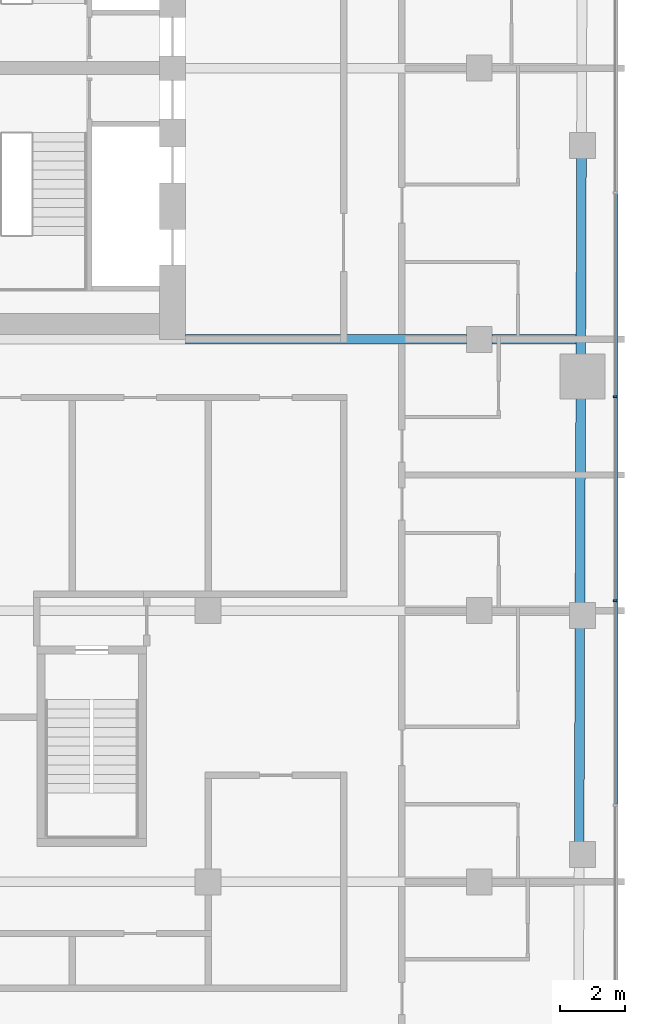
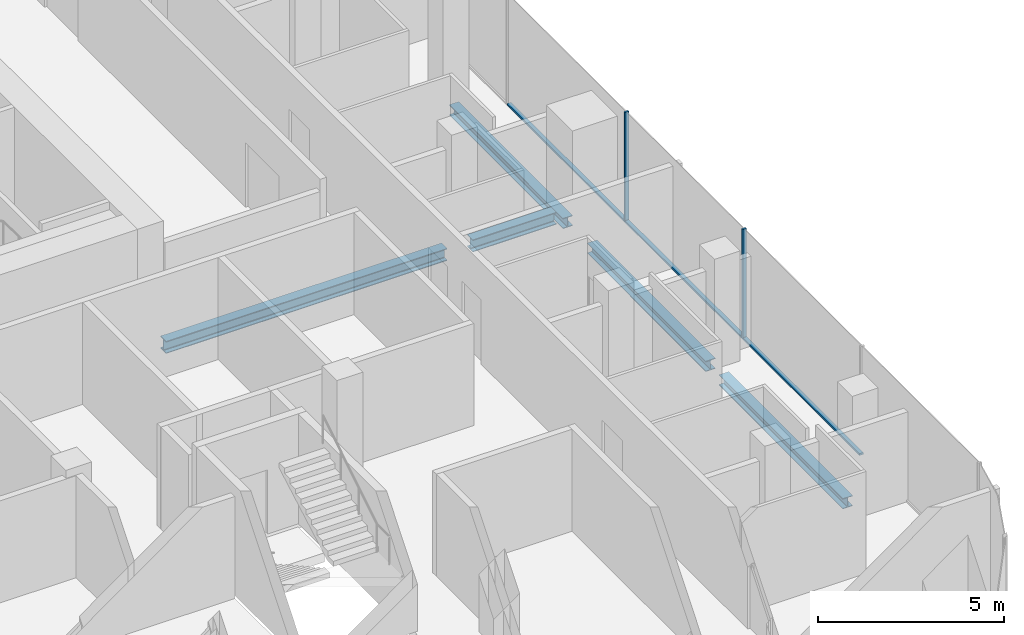
# One storey, part 7 of 22: 5 beams, 5 members, 1 element without a shape of its own.
"""IFC4 building model written with IfcOpenShell, lengths in metres."""

from ifc_helpers import new_model, si_unit, direction, frame, origin, origin_2d, place, context, subcontext, project, spatial, rectangle, i_section, extrude, material, layer, layer_set, material_profile, profile_set, type_object, element, aggregate, save


model = new_model("IFC4")

# Units and contexts
model_context = context("Model", 3, precision=1e-05, world=origin(), true_north=direction((0.0, 1.0)))
body_context = subcontext(model_context, "Body", "Model", "MODEL_VIEW")
ifc_project = project(units=[si_unit("LENGTHUNIT", "METRE"), si_unit("AREAUNIT", "SQUARE_METRE"), si_unit("VOLUMEUNIT", "CUBIC_METRE"), si_unit("PLANEANGLEUNIT", "RADIAN"), si_unit("MASSUNIT", "GRAM", prefix="KILO")], contexts=[model_context])

# Site, building, storey
site_placement = place(None, origin())
site = spatial("IfcSite", under=ifc_project, at=site_placement, CompositionType="ELEMENT")
building_placement = place(site_placement, origin())
building = spatial("IfcBuilding", under=site, at=building_placement, Name="Marenta Gate Hotel Tower", CompositionType="ELEMENT")
storey_placement = place(building_placement, frame((0.0, 0.0, 209.300048828125)))
storey = spatial("IfcBuildingStorey", under=building, at=storey_placement, Name="L48", CompositionType="ELEMENT", Elevation=209.300048828125)

# Beams
ifc_material_1 = material(Name="Steel S355", Category="steel")
ifc_material_profile_1 = material_profile(ifc_material_1, i_section(OverallWidth=0.300048828125, OverallDepth=0.340087890625, WebThickness=0.011962890625, FlangeThickness=0.021484375, FilletRadius=0.027099609375, at=origin_2d()), Name="HEB 340")
ifc_profile_set_1 = profile_set([ifc_material_profile_1], Name="Steel S355")
beam_type_1 = type_object("IfcBeamType", Name="Edge beam HEB 340", PredefinedType="SPANDREL", material=ifc_profile_set_1)
beam_1_placement = place(storey_placement, frame((24.164306640625, 5.643310546875, -0.429931640625), z_axis=(-0.003303859048, -0.999994542243, 0.0), x_axis=(0.999994542243, -0.003303859048, 0.0)))
element("IfcBeam", 1, at=beam_1_placement, inside=storey, type_object=beam_type_1, Name="L48-EB-24", PredefinedType="SPANDREL", context=body_context, shape_type="SweptSolid", body=[
    extrude(i_section(OverallWidth=0.300048828125, OverallDepth=0.340087890625, WebThickness=0.011962890625, FlangeThickness=0.021484375, FilletRadius=0.027099609375, at=origin_2d()), origin(), (0.0, 0.0, 1.0), 6.13330078125),
])
beam_2_placement = place(storey_placement, frame((24.1396484375, -1.81005859375, -0.429931640625), z_axis=(-0.003328723523, -0.999994459785, 0.0), x_axis=(0.999994459785, -0.003328723523, 0.0)))
element("IfcBeam", 2, at=beam_2_placement, inside=storey, type_object=beam_type_1, Name="L48-EB-25", PredefinedType="SPANDREL", context=body_context, shape_type="SweptSolid", body=[
    extrude(i_section(OverallWidth=0.300048828125, OverallDepth=0.340087890625, WebThickness=0.011962890625, FlangeThickness=0.021484375, FilletRadius=0.027099609375, at=origin_2d()), origin(), (0.0, 0.0, 1.0), 6.380859375),
])
beam_3_placement = place(storey_placement, frame((24.115966796875, -8.910888671875, -0.429931640625), z_axis=(-0.00332539729, -0.999994470851, 0.0), x_axis=(0.999994470851, -0.00332539729, 0.0)))
element("IfcBeam", 3, at=beam_3_placement, inside=storey, type_object=beam_type_1, Name="L48-EB-26", PredefinedType="SPANDREL", context=body_context, shape_type="SweptSolid", body=[
    extrude(i_section(OverallWidth=0.300048828125, OverallDepth=0.340087890625, WebThickness=0.011962890625, FlangeThickness=0.021484375, FilletRadius=0.027099609375, at=origin_2d()), origin(), (0.0, 0.0, 1.0), 6.680908203125),
])
ifc_material_2 = material(Name="Steel S355", Category="steel")
ifc_material_profile_2 = material_profile(ifc_material_2, i_section(OverallWidth=0.300048828125, OverallDepth=0.39990234375, WebThickness=0.013427734375, FlangeThickness=0.02392578125, FilletRadius=0.027099609375, at=origin_2d()), Name="HEB 400")
ifc_profile_set_2 = profile_set([ifc_material_profile_2], Name="Steel S355")
beam_type_2 = type_object("IfcBeamType", Name="Girder HEB 400", PredefinedType="BEAM", material=ifc_profile_set_2)
beam_4_placement = place(storey_placement, frame((11.89990234375, 0.0, -0.4599609375), z_axis=(1.0, 0.0, 0.0), x_axis=(0.0, 1.0, 0.0)))
element("IfcBeam", 4, at=beam_4_placement, inside=storey, type_object=beam_type_2, Name="L48-GD-23", PredefinedType="BEAM", context=body_context, shape_type="SweptSolid", body=[
    extrude(i_section(OverallWidth=0.300048828125, OverallDepth=0.39990234375, WebThickness=0.013427734375, FlangeThickness=0.02392578125, FilletRadius=0.027099609375, at=origin_2d()), origin(), (0.0, 0.0, 1.0), 8.7001953125),
])
beam_5_placement = place(storey_placement, frame((21.39990234375, 0.0, -0.4599609375), z_axis=(1.0, 0.0, 0.0), x_axis=(0.0, 1.0, 0.0)))
element("IfcBeam", 5, at=beam_5_placement, inside=storey, type_object=beam_type_2, Name="L48-GD-24", PredefinedType="BEAM", context=body_context, shape_type="SweptSolid", body=[
    extrude(i_section(OverallWidth=0.300048828125, OverallDepth=0.39990234375, WebThickness=0.013427734375, FlangeThickness=0.02392578125, FilletRadius=0.027099609375, at=origin_2d()), origin(), (0.0, 0.0, 1.0), 2.595703125),
])

# Curtain wall, members
ifc_material_3 = material(Name="Tinted insulated glass in bronze anodised frame", Category="glass")
ifc_layer = layer(ifc_material_3, 0.1201171875)
ifc_layer_set = layer_set([ifc_layer], Name="Tinted insulated glass in bronze anodised frame")
curtain_wall_type = type_object("IfcCurtainWallType", Name="Tower unitised curtain wall CW1", PredefinedType="NOTDEFINED", material=ifc_layer_set)
curtain_wall_placement = place(storey_placement, origin())
curtain_wall = element("IfcCurtainWall", 6, at=curtain_wall_placement, inside=storey, type_object=curtain_wall_type, Name="CW1 run G11", PredefinedType="NOTDEFINED")
ifc_material_4 = material(Name="Bronze anodised aluminium", Category="aluminium")
ifc_material_profile_3 = material_profile(ifc_material_4, rectangle(XDim=0.1201171875, YDim=0.06005859375, at=origin_2d()), Name="Mullion CW1 60x120 bronze anodised aluminium")
ifc_profile_set_3 = profile_set([ifc_material_profile_3], Name="Bronze anodised aluminium")
member_type_1 = type_object("IfcMemberType", Name="Mullion CW1 60x120 bronze anodised aluminium", PredefinedType="MULLION", material=ifc_profile_set_3)
member_1_placement = place(storey_placement, frame((25.214111328125, -8.0986328125, 0.0), z_axis=(0.0, 0.0, 1.0), x_axis=(-1.0, 0.0, 0.0)))
member_1 = element("IfcMember", 7, at=member_1_placement, type_object=member_type_1, Name="CW1 mullion 3", PredefinedType="MULLION", context=body_context, shape_type="SweptSolid", body=[
    extrude(rectangle(XDim=0.1201171875, YDim=0.06005859375, at=origin_2d()), origin(), (0.0, 0.0, 1.0), 3.599853515625),
])
member_2_placement = place(storey_placement, frame((25.214111328125, -1.77587890625, 0.0), z_axis=(0.0, 0.0, 1.0), x_axis=(-1.0, 0.0, 0.0)))
member_2 = element("IfcMember", 8, at=member_2_placement, type_object=member_type_1, Name="CW1 mullion 4", PredefinedType="MULLION", context=body_context, shape_type="SweptSolid", body=[
    extrude(rectangle(XDim=0.1201171875, YDim=0.06005859375, at=origin_2d()), origin(), (0.0, 0.0, 1.0), 3.599853515625),
])
ifc_material_5 = material(Name="Bronze anodised aluminium", Category="aluminium")
ifc_material_profile_4 = material_profile(ifc_material_5, rectangle(XDim=0.1201171875, YDim=0.06005859375, at=origin_2d()), Name="Transom CW1 60x120 bronze anodised aluminium")
ifc_profile_set_4 = profile_set([ifc_material_profile_4], Name="Bronze anodised aluminium")
member_type_2 = type_object("IfcMemberType", Name="Transom CW1 60x120 bronze anodised aluminium", PredefinedType="USERDEFINED", material=ifc_profile_set_4)
member_3_placement = place(storey_placement, frame((25.214111328125, -14.391357421875, 0.030029296875), z_axis=(0.0, 1.0, 0.0), x_axis=(-1.0, 0.0, 0.0)))
member_3 = element("IfcMember", 9, at=member_3_placement, type_object=member_type_2, Name="CW1 transom 2.1", ObjectType="TRANSOM", PredefinedType="USERDEFINED", context=body_context, shape_type="SweptSolid", body=[
    extrude(rectangle(XDim=0.1201171875, YDim=0.06005859375, at=origin_2d()), origin(), (0.0, 0.0, 1.0), 6.2626953125),
])
member_4_placement = place(storey_placement, frame((25.214111328125, -8.068603515625, 0.030029296875), z_axis=(0.0, 1.0, 0.0), x_axis=(-1.0, 0.0, 0.0)))
member_4 = element("IfcMember", 10, at=member_4_placement, type_object=member_type_2, Name="CW1 transom 3.1", ObjectType="TRANSOM", PredefinedType="USERDEFINED", context=body_context, shape_type="SweptSolid", body=[
    extrude(rectangle(XDim=0.1201171875, YDim=0.06005859375, at=origin_2d()), origin(), (0.0, 0.0, 1.0), 6.2626953125),
])
member_5_placement = place(storey_placement, frame((25.214111328125, -1.74609375, 0.030029296875), z_axis=(0.0, 1.0, 0.0), x_axis=(-1.0, 0.0, 0.0)))
member_5 = element("IfcMember", 11, at=member_5_placement, type_object=member_type_2, Name="CW1 transom 4.1", ObjectType="TRANSOM", PredefinedType="USERDEFINED", context=body_context, shape_type="SweptSolid", body=[
    extrude(rectangle(XDim=0.1201171875, YDim=0.06005859375, at=origin_2d()), origin(), (0.0, 0.0, 1.0), 6.2626953125),
])
aggregate(curtain_wall, [member_1, member_2, member_3, member_4, member_5])

save(model, "model.ifc")
